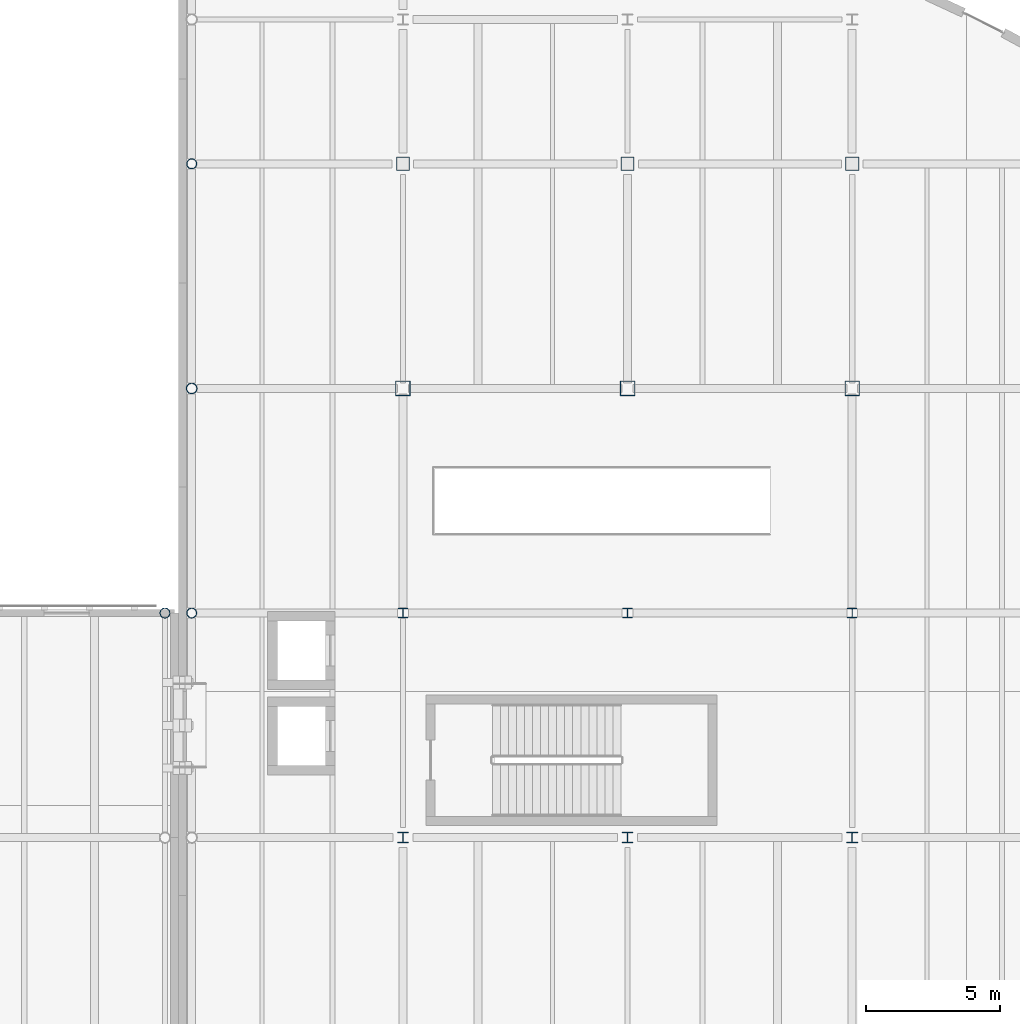
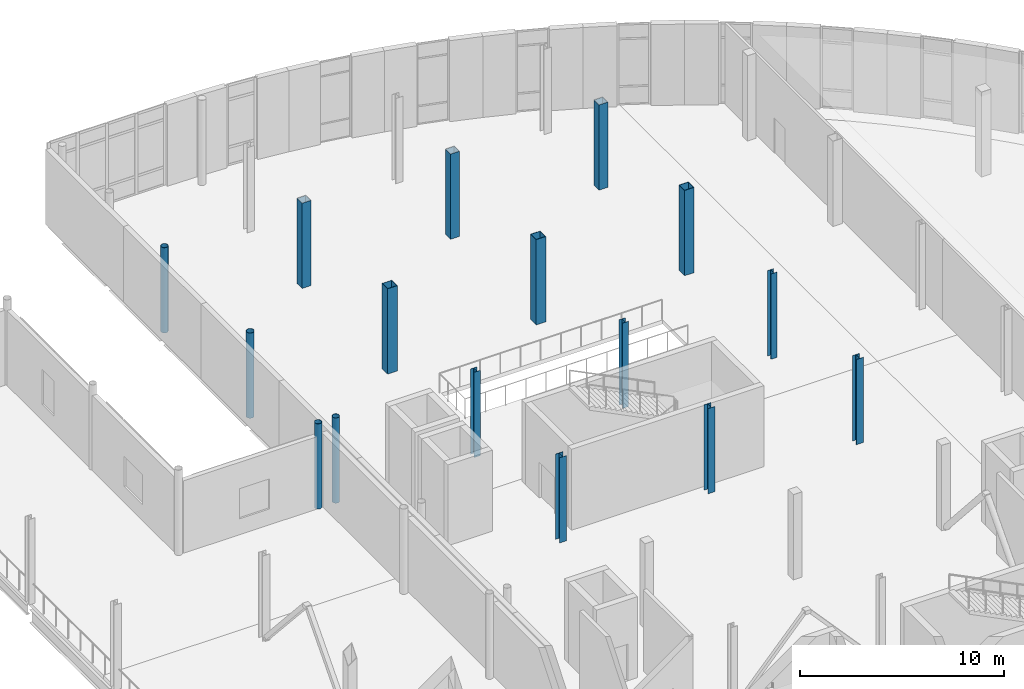
# One storey, part 9 of 104: 16 columns.
"""IFC4 building model written with IfcOpenShell, lengths in metres."""

from ifc_helpers import new_model, si_unit, direction, frame, origin, origin_2d, place, context, subcontext, project, spatial, hollow_rectangle, hollow_circle, i_section, extrude, material, material_profile, profile_set, type_object, element, save


model = new_model("IFC4")

# Units and contexts
model_context = context("Model", 3, precision=1e-05, world=origin(), true_north=direction((0.0, 1.0)))
body_context = subcontext(model_context, "Body", "Model", "MODEL_VIEW")
ifc_project = project(units=[si_unit("LENGTHUNIT", "METRE"), si_unit("AREAUNIT", "SQUARE_METRE"), si_unit("VOLUMEUNIT", "CUBIC_METRE"), si_unit("PLANEANGLEUNIT", "RADIAN"), si_unit("MASSUNIT", "GRAM", prefix="KILO"), si_unit("THERMODYNAMICTEMPERATUREUNIT", "KELVIN")], contexts=[model_context])

# Site, building, storey
site_placement = place(None, origin())
site = spatial("IfcSite", under=ifc_project, at=site_placement, CompositionType="ELEMENT")
building_placement = place(site_placement, origin())
building = spatial("IfcBuilding", under=site, at=building_placement, Name="Lustrewick Department Store", CompositionType="ELEMENT")
storey_placement = place(building_placement, frame((0.0, 0.0, 11.39990234375)))
storey = spatial("IfcBuildingStorey", under=building, at=storey_placement, Name="L03", CompositionType="ELEMENT", Elevation=11.39990234375)

# Columns
ifc_material_1 = material(Name="Structural steel Q355C", Category="steel")
ifc_material_profile_1 = material_profile(ifc_material_1, hollow_rectangle(XDim=0.550048828125, YDim=0.550048828125, WallThickness=0.02197265625, at=origin_2d()), Name="BOX 550x550x22")
ifc_profile_set_1 = profile_set([ifc_material_profile_1], Name="Structural steel Q355C")
column_type_1 = type_object("IfcColumnType", Name="C05", PredefinedType="COLUMN", material=ifc_profile_set_1)
for number, where, z_axis, x_axis, name in (
    (1, (117.60009765625, 92.39990234375, 0.0), (0.0, 0.0, 1.0), (1.0, 0.0, 0.0), "L03 V4 Column C05"),
    (2, (126.0, 92.39990234375, 0.0), (0.0, 0.0, 1.0), (1.0, 0.0, 0.0), "L03 V4 Column C05"),
    (3, (134.39990234375, 92.39990234375, 0.0), (0.0, 0.0, 1.0), (1.0, 0.0, 0.0), "L03 V4 Column C05"),
):
    element("IfcColumn", number, at=place(storey_placement, frame(where, z_axis=z_axis, x_axis=x_axis)), inside=storey, type_object=column_type_1, Name=name, PredefinedType="COLUMN", context=body_context, shape_type="SweptSolid", body=[
        extrude(hollow_rectangle(XDim=0.550048828125, YDim=0.550048828125, WallThickness=0.02197265625, at=origin_2d()), origin(), (0.0, 0.0, 1.0), 5.10009765625),
    ])
ifc_material_2 = material(Name="Structural steel Q355B", Category="steel")
ifc_material_profile_2 = material_profile(ifc_material_2, hollow_rectangle(XDim=0.5, YDim=0.5, WallThickness=0.02001953125, at=origin_2d()), Name="BOX 500x500x20")
ifc_profile_set_2 = profile_set([ifc_material_profile_2], Name="Structural steel Q355B")
column_type_2 = type_object("IfcColumnType", Name="C06", PredefinedType="COLUMN", material=ifc_profile_set_2)
for number, where, z_axis, x_axis, name in (
    (4, (117.60009765625, 100.800048828125, 0.0), (0.0, 0.0, 1.0), (1.0, 0.0, 0.0), "L03 V4 Column C06"),
    (5, (126.0, 100.800048828125, 0.0), (0.0, 0.0, 1.0), (1.0, 0.0, 0.0), "L03 V4 Column C06"),
    (6, (134.39990234375, 100.800048828125, 0.0), (0.0, 0.0, 1.0), (1.0, 0.0, 0.0), "L03 V4 Column C06"),
):
    element("IfcColumn", number, at=place(storey_placement, frame(where, z_axis=z_axis, x_axis=x_axis)), inside=storey, type_object=column_type_2, Name=name, PredefinedType="COLUMN", context=body_context, shape_type="SweptSolid", body=[
        extrude(hollow_rectangle(XDim=0.5, YDim=0.5, WallThickness=0.02001953125, at=origin_2d()), origin(), (0.0, 0.0, 1.0), 5.10009765625),
    ])
ifc_material_profile_3 = material_profile(ifc_material_2, i_section(OverallWidth=0.402099609375, OverallDepth=0.387939453125, WebThickness=0.014892578125, FlangeThickness=0.014892578125, FilletRadius=0.02197265625, at=origin_2d()), Name="HW 388x402x15x15")
ifc_profile_set_3 = profile_set([ifc_material_profile_3], Name="Structural steel Q355B")
column_type_3 = type_object("IfcColumnType", Name="C12", PredefinedType="COLUMN", material=ifc_profile_set_3)
for number, where, z_axis, x_axis, name in (
    (7, (117.60009765625, 75.60009765625, 0.0), (0.0, 0.0, 1.0), (1.0, 0.0, 0.0), "L03 V4 Column C12"),
    (8, (126.0, 75.60009765625, 0.0), (0.0, 0.0, 1.0), (1.0, 0.0, 0.0), "L03 V4 Column C12"),
    (9, (134.39990234375, 75.60009765625, 0.0), (0.0, 0.0, 1.0), (1.0, 0.0, 0.0), "L03 V4 Column C12"),
):
    element("IfcColumn", number, at=place(storey_placement, frame(where, z_axis=z_axis, x_axis=x_axis)), inside=storey, type_object=column_type_3, Name=name, PredefinedType="COLUMN", context=body_context, shape_type="SweptSolid", body=[
        extrude(i_section(OverallWidth=0.402099609375, OverallDepth=0.387939453125, WebThickness=0.014892578125, FlangeThickness=0.014892578125, FilletRadius=0.02197265625, at=origin_2d()), origin(), (0.0, 0.0, 1.0), 5.10009765625),
    ])
ifc_material_profile_4 = material_profile(ifc_material_2, i_section(OverallWidth=0.35009765625, OverallDepth=0.35009765625, WebThickness=0.011962890625, FlangeThickness=0.01904296875, FilletRadius=0.02001953125, at=origin_2d()), Name="HW 350x350x12x19")
ifc_profile_set_4 = profile_set([ifc_material_profile_4], Name="Structural steel Q355B")
column_type_4 = type_object("IfcColumnType", Name="C13", PredefinedType="COLUMN", material=ifc_profile_set_4)
for number, where, z_axis, x_axis, name in (
    (10, (117.60009765625, 84.0, 0.0), (0.0, 0.0, 1.0), (1.0, 0.0, 0.0), "L03 V4 Column C13"),
    (11, (126.0, 84.0, 0.0), (0.0, 0.0, 1.0), (1.0, 0.0, 0.0), "L03 V4 Column C13"),
    (12, (134.39990234375, 84.0, 0.0), (0.0, 0.0, 1.0), (1.0, 0.0, 0.0), "L03 V4 Column C13"),
):
    element("IfcColumn", number, at=place(storey_placement, frame(where, z_axis=z_axis, x_axis=x_axis)), inside=storey, type_object=column_type_4, Name=name, PredefinedType="COLUMN", context=body_context, shape_type="SweptSolid", body=[
        extrude(i_section(OverallWidth=0.35009765625, OverallDepth=0.35009765625, WebThickness=0.011962890625, FlangeThickness=0.01904296875, FilletRadius=0.02001953125, at=origin_2d()), origin(), (0.0, 0.0, 1.0), 5.10009765625),
    ])
ifc_material_profile_5 = material_profile(ifc_material_1, hollow_circle(Radius=0.202880859375, WallThickness=0.01611328125, at=origin_2d()), Name="CHS 406x16")
ifc_profile_set_5 = profile_set([ifc_material_profile_5], Name="Structural steel Q355C")
column_type_5 = type_object("IfcColumnType", Name="CE03", PredefinedType="COLUMN", material=ifc_profile_set_5)
column_placement = place(storey_placement, frame((109.699951171875, 92.39990234375, 0.0), z_axis=(0.0, 0.0, 1.0), x_axis=(1.0, 0.0, 0.0)))
element("IfcColumn", 13, at=column_placement, inside=storey, type_object=column_type_5, Name="L03 V4 Column CE03", PredefinedType="COLUMN", context=body_context, shape_type="SweptSolid", body=[
    extrude(hollow_circle(Radius=0.202880859375, WallThickness=0.01611328125, at=origin_2d()), origin(), (0.0, 0.0, 1.0), 5.10009765625),
])
ifc_material_profile_6 = material_profile(ifc_material_2, hollow_circle(Radius=0.1884765625, WallThickness=0.013916015625, at=origin_2d()), Name="CHS 377x14")
ifc_profile_set_6 = profile_set([ifc_material_profile_6], Name="Structural steel Q355B")
column_type_6 = type_object("IfcColumnType", Name="CE04", PredefinedType="COLUMN", material=ifc_profile_set_6)
for number, where, z_axis, x_axis, name in (
    (14, (108.699951171875, 84.0, 0.0), (0.0, 0.0, 1.0), (1.0, 0.0, 0.0), "L03 V2 Column CE04"),
    (15, (109.699951171875, 84.0, 0.0), (0.0, 0.0, 1.0), (1.0, 0.0, 0.0), "L03 V4 Column CE04"),
    (16, (109.699951171875, 100.800048828125, 0.0), (0.0, 0.0, 1.0), (1.0, 0.0, 0.0), "L03 V4 Column CE04"),
):
    element("IfcColumn", number, at=place(storey_placement, frame(where, z_axis=z_axis, x_axis=x_axis)), inside=storey, type_object=column_type_6, Name=name, PredefinedType="COLUMN", context=body_context, shape_type="SweptSolid", body=[
        extrude(hollow_circle(Radius=0.1884765625, WallThickness=0.013916015625, at=origin_2d()), origin(), (0.0, 0.0, 1.0), 5.10009765625),
    ])

save(model, "model.ifc")
